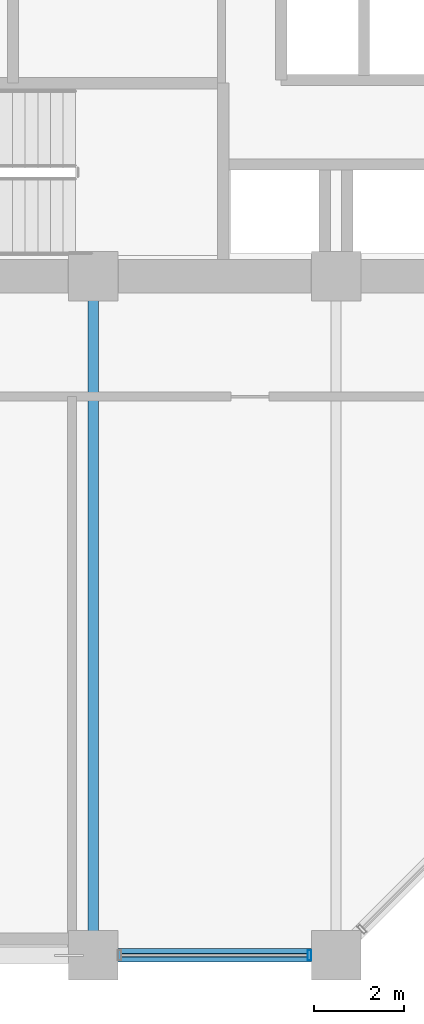
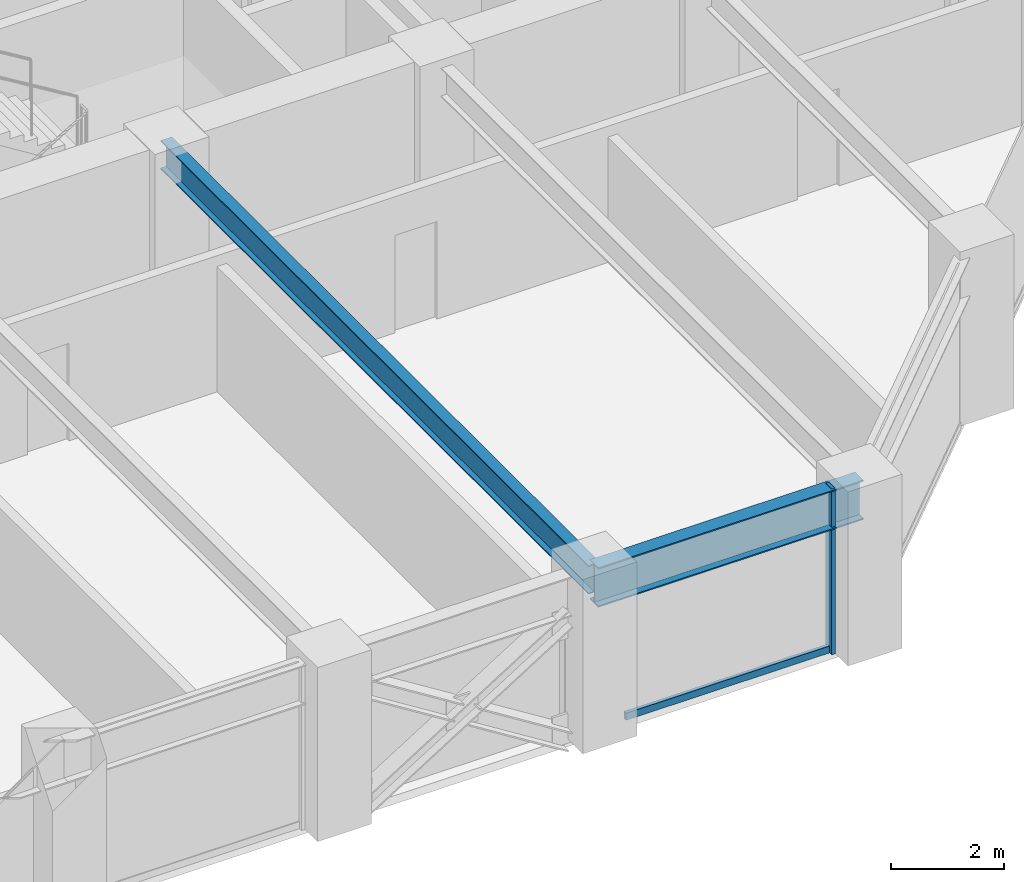
# One storey, part 5 of 25: 2 beams, 2 members, 1 element without a shape of its own.
"""IFC4 building model written with IfcOpenShell, lengths in metres."""

from ifc_helpers import new_model, si_unit, direction, frame, origin, origin_2d, place, context, subcontext, project, spatial, hollow_rectangle, i_section, extrude, material, layer, layer_set, material_profile, profile_set, type_object, element, aggregate, save


model = new_model("IFC4")

# Units and contexts
model_context = context("Model", 3, precision=1e-05, world=origin(), true_north=direction((0.0, 1.0)))
body_context = subcontext(model_context, "Body", "Model", "MODEL_VIEW")
ifc_project = project(units=[si_unit("LENGTHUNIT", "METRE"), si_unit("AREAUNIT", "SQUARE_METRE"), si_unit("VOLUMEUNIT", "CUBIC_METRE"), si_unit("PLANEANGLEUNIT", "RADIAN"), si_unit("MASSUNIT", "GRAM", prefix="KILO")], contexts=[model_context])

# Site, building, storey
site_placement = place(None, origin())
site = spatial("IfcSite", under=ifc_project, at=site_placement, CompositionType="ELEMENT")
building_placement = place(site_placement, origin())
building = spatial("IfcBuilding", under=site, at=building_placement, Name="Surkhivell Harbour Commons", CompositionType="ELEMENT")
storey_placement = place(building_placement, frame((0.0, 0.0, 117.0)))
storey = spatial("IfcBuildingStorey", under=building, at=storey_placement, Name="L30", CompositionType="ELEMENT", Elevation=117.0)

# Beams
ifc_material_1 = material(Name="Steel S355", Category="steel")
ifc_material_profile_1 = material_profile(ifc_material_1, i_section(OverallWidth=0.22998046875, OverallDepth=0.616943359375, WebThickness=0.01318359375, FlangeThickness=0.022216796875, at=origin_2d()), Name="UB610x229x140")
ifc_profile_set_1 = profile_set([ifc_material_profile_1], Name="Steel S355")
beam_type_1 = type_object("IfcBeamType", Name="BM-GRD-610B", PredefinedType="BEAM", material=ifc_profile_set_1)
beam_1_placement = place(storey_placement, frame((-5.39990234375, -25.89990234375, 3.261474609375), z_axis=(0.0, 1.0, 0.0), x_axis=(-1.0, 0.0, 0.0)))
element("IfcBeam", 1, at=beam_1_placement, inside=storey, type_object=beam_type_1, Name="L30 Floor Girder (-5.4,-25.9)", PredefinedType="BEAM", context=body_context, shape_type="SweptSolid", body=[
    extrude(i_section(OverallWidth=0.22998046875, OverallDepth=0.616943359375, WebThickness=0.01318359375, FlangeThickness=0.022216796875, at=origin_2d()), origin(), (0.0, 0.0, 1.0), 15.099853515625),
])
ifc_material_2 = material(Name="Steel S460", Category="steel")
ifc_material_profile_2 = material_profile(ifc_material_2, i_section(OverallWidth=0.2939453125, OverallDepth=0.85107421875, WebThickness=0.01611328125, FlangeThickness=0.02685546875, at=origin_2d()), Name="UB838x292x226")
ifc_profile_set_2 = profile_set([ifc_material_profile_2], Name="Steel S460")
beam_type_2 = type_object("IfcBeamType", Name="BM-SPN-838", PredefinedType="SPANDREL", material=ifc_profile_set_2)
beam_2_placement = place(storey_placement, frame((-5.39990234375, -25.89990234375, 3.14453125), z_axis=(1.0, 0.0, 0.0), x_axis=(0.0, 1.0, 0.0)))
element("IfcBeam", 2, at=beam_2_placement, inside=storey, type_object=beam_type_2, Name="L30 Tube Spandrel (-5.4,-25.9)", PredefinedType="SPANDREL", context=body_context, shape_type="SweptSolid", body=[
    extrude(i_section(OverallWidth=0.2939453125, OverallDepth=0.85107421875, WebThickness=0.01611328125, FlangeThickness=0.02685546875, at=origin_2d()), origin(), (0.0, 0.0, 1.0), 5.39990234375),
])

# Curtain wall, members
ifc_material_3 = material(Name="Anodised pale-metal aluminium and insulated glazing", Category="aluminium")
ifc_layer = layer(ifc_material_3, 0.205078125)
ifc_layer_set = layer_set([ifc_layer], Name="Anodised pale-metal aluminium and insulated glazing")
curtain_wall_type = type_object("IfcCurtainWallType", Name="CW-SYS-Z2", PredefinedType="NOTDEFINED", material=ifc_layer_set)
curtain_wall_placement = place(storey_placement, origin())
curtain_wall = element("IfcCurtainWall", 3, at=curtain_wall_placement, inside=storey, type_object=curtain_wall_type, Name="L30 Curtain Wall CW-L30-E00S2", PredefinedType="NOTDEFINED")
ifc_material_4 = material(Name="Anodised pale-metal aluminium alloy 6063-T6", Category="aluminium")
ifc_material_profile_3 = material_profile(ifc_material_4, hollow_rectangle(XDim=0.074951171875, YDim=0.219970703125, WallThickness=0.00390625, at=origin_2d()), Name="ALU-MULL-75x220")
ifc_profile_set_3 = profile_set([ifc_material_profile_3], Name="Anodised pale-metal aluminium alloy 6063-T6")
member_type_1 = type_object("IfcMemberType", Name="CWM-220", PredefinedType="MULLION", material=ifc_profile_set_3)
member_1_placement = place(storey_placement, frame((-0.589599609375, -25.89990234375, 0.0), z_axis=(0.0, 0.0, 1.0), x_axis=(1.0, 0.0, 0.0)))
member_1 = element("IfcMember", 4, at=member_1_placement, type_object=member_type_1, Name="CW-Z2 mullion 2", PredefinedType="MULLION", context=body_context, shape_type="SweptSolid", body=[
    extrude(hollow_rectangle(XDim=0.074951171875, YDim=0.219970703125, WallThickness=0.00390625, at=origin_2d()), origin(), (0.0, 0.0, 1.0), 3.570068359375),
])
ifc_material_profile_4 = material_profile(ifc_material_4, hollow_rectangle(XDim=0.074951171875, YDim=0.14990234375, WallThickness=0.00341796875, at=origin_2d()), Name="ALU-TRAN-75x150")
ifc_profile_set_4 = profile_set([ifc_material_profile_4], Name="Anodised pale-metal aluminium alloy 6063-T6")
member_type_2 = type_object("IfcMemberType", Name="CWT-150", PredefinedType="USERDEFINED", material=ifc_profile_set_4)
member_2_placement = place(storey_placement, frame((-4.77294921875, -25.89990234375, 0.074951171875), z_axis=(1.0, 0.0, 0.0), x_axis=(0.0, 1.0, 0.0)))
member_2 = element("IfcMember", 5, at=member_2_placement, type_object=member_type_2, Name="CW-Z2 transom 1.1", ObjectType="TRANSOM", PredefinedType="USERDEFINED", context=body_context, shape_type="SweptSolid", body=[
    extrude(hollow_rectangle(XDim=0.074951171875, YDim=0.14990234375, WallThickness=0.00341796875, at=origin_2d()), origin(), (0.0, 0.0, 1.0), 4.14599609375),
])
aggregate(curtain_wall, [member_1, member_2])

save(model, "model.ifc")
